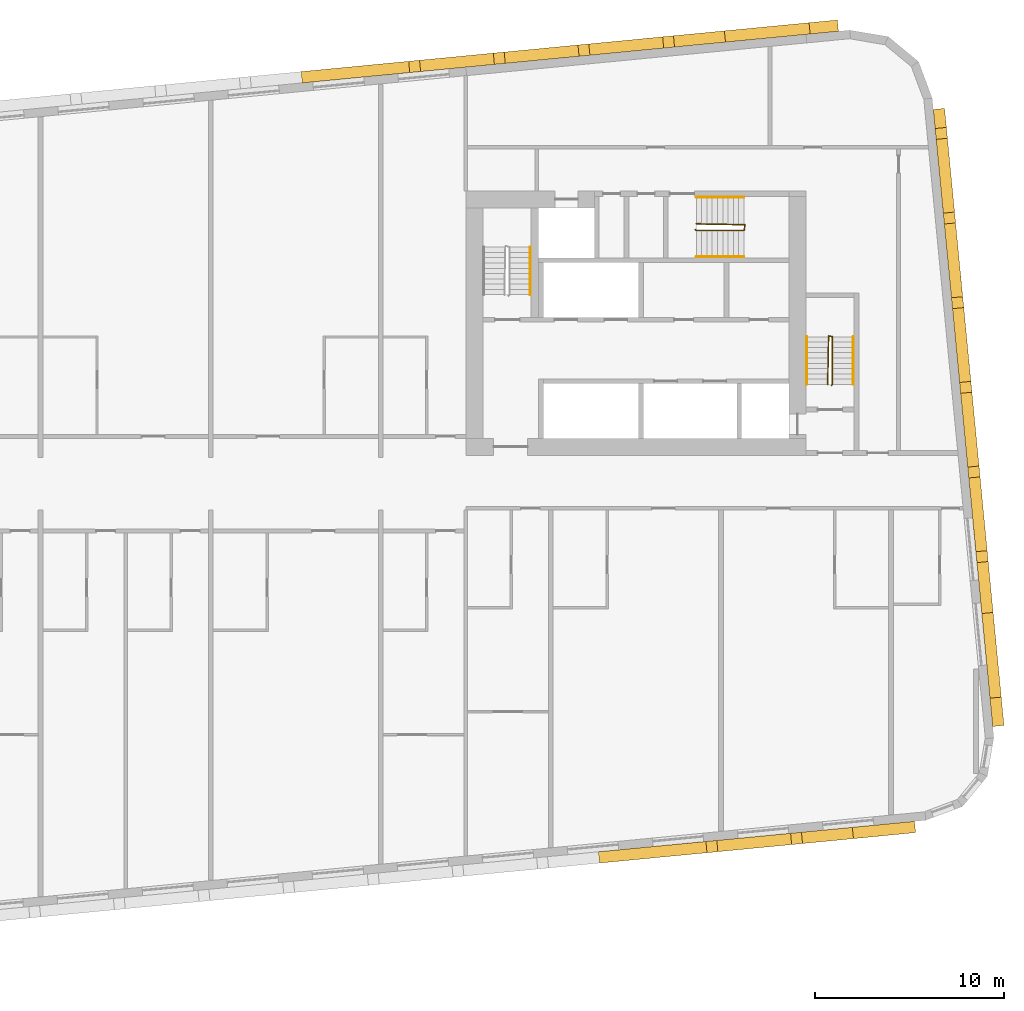
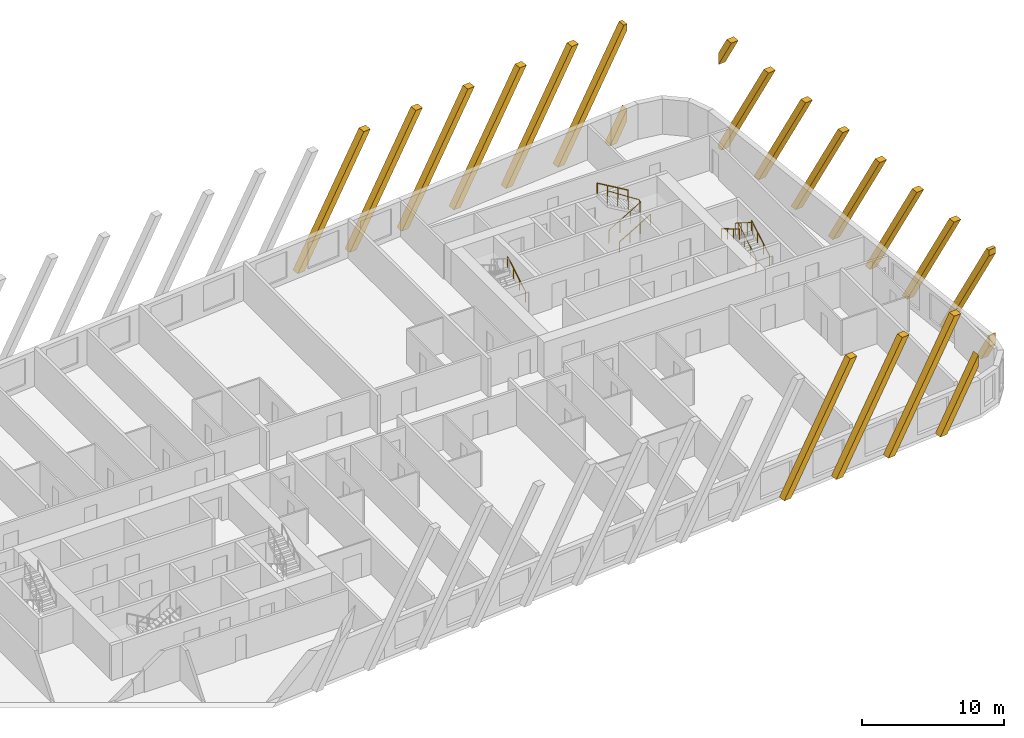
# One storey, part 13 of 13: 20 coverings, 7 railings.
"""IFC4 building model written with IfcOpenShell, lengths in metres."""

from ifc_helpers import new_model, si_unit, direction, frame, origin, origin_2d, place, context, subcontext, project, spatial, polyline, rectangle, circle, outline, extrude, material, material_profile, profile_set, type_object, element, save


model = new_model("IFC4")

# Units and contexts
model_context = context("Model", 3, precision=1e-05, world=origin(), true_north=direction((0.0, 1.0)))
body_context = subcontext(model_context, "Body", "Model", "MODEL_VIEW")
ifc_project = project(units=[si_unit("LENGTHUNIT", "METRE"), si_unit("AREAUNIT", "SQUARE_METRE"), si_unit("VOLUMEUNIT", "CUBIC_METRE"), si_unit("PLANEANGLEUNIT", "RADIAN"), si_unit("MASSUNIT", "GRAM", prefix="KILO")], contexts=[model_context])

# Site, building, storey
site_placement = place(None, origin())
site = spatial("IfcSite", under=ifc_project, at=site_placement, CompositionType="ELEMENT")
building_placement = place(site_placement, origin())
building = spatial("IfcBuilding", under=site, at=building_placement, Name="Kajstack Hotel Tower", CompositionType="ELEMENT")
storey_placement = place(building_placement, frame((0.0, 0.0, 176.800048828125)))
storey = spatial("IfcBuildingStorey", under=building, at=storey_placement, Name="L41", CompositionType="ELEMENT", Elevation=176.800048828125)

# Coverings
ifc_material_1 = material(Name="Terracotta", Category="masonry")
ifc_material_profile = material_profile(ifc_material_1, rectangle(XDim=0.60009765625, YDim=0.5, at=origin_2d()), Name="Terracotta-clad concrete baguette 500 x 600")
ifc_profile_set = profile_set([ifc_material_profile], Name="Terracotta")
covering_type = type_object("IfcCoveringType", Name="BAGUETTE 500x600", PredefinedType="CLADDING", material=ifc_profile_set)
for number, where, z_axis, x_axis, name in (
    (1, (20.515869140625, -19.477294921875, 0.0), (0.095634862357, -0.995416482233, 0.0), (0.995416482233, 0.095634862357, 0.0), "Baguette L41-04-053"),
    (2, (24.9951171875, -19.0458984375, 0.0), (0.095634862357, -0.995416482233, 0.0), (0.995416482233, 0.095634862357, 0.0), "Baguette L41-04-057"),
    (3, (29.474365234375, -18.61474609375, 0.0), (0.095634862357, -0.995416482233, 0.0), (0.995416482233, 0.095634862357, 0.0), "Baguette L41-04-061"),
):
    element("IfcCovering", number, at=place(storey_placement, frame(where, z_axis=z_axis, x_axis=x_axis)), inside=storey, type_object=covering_type, Name=name, PredefinedType="CLADDING", context=body_context, shape_type="SweptSolid", body=[
        extrude(outline(polyline([(5.7158203125, 9.89990234375), (0.0, 0.0), (0.577392578125, 0.0), (6.293212890625, 9.89990234375), (5.7158203125, 9.89990234375)])), origin(), (0.0, 0.0, 1.0), 0.599853515625),
    ])
covering_1_placement = place(storey_placement, frame((33.95361328125, -18.183349609375, 0.0), z_axis=(0.096038073607, -0.995377661201, 0.0), x_axis=(0.995377661201, 0.096038073607, 0.0)))
element("IfcCovering", 4, at=covering_1_placement, inside=storey, type_object=covering_type, Name="Baguette L41-04-065", PredefinedType="CLADDING", context=body_context, shape_type="SweptSolid", body=[
    extrude(outline(polyline([(0.577392578125, 0.0), (3.304443359375, 4.723388671875), (3.304443359375, 5.723388671875), (0.0, 0.0), (0.577392578125, 0.0)])), origin(), (0.0, 0.0, 1.0), 0.599853515625),
])
covering_2_placement = place(storey_placement, frame((41.380859375, -12.846923828125, 0.0), z_axis=(0.995377661201, 0.096038073607, 0.0), x_axis=(-0.096038073607, 0.995377661201, 0.0)))
element("IfcCovering", 5, at=covering_2_placement, inside=storey, type_object=covering_type, Name="Baguette L41-08-001", PredefinedType="CLADDING", context=body_context, shape_type="SweptSolid", body=[
    extrude(outline(polyline([(1.50439453125, 0.0), (0.0, 2.605712890625), (0.0, 1.605712890625), (0.927001953125, 0.0), (1.50439453125, 0.0)])), origin(), (0.0, 0.0, 1.0), 0.599853515625),
])
covering_3_placement = place(storey_placement, frame((41.380859375, -12.846923828125, 0.0), z_axis=(0.995377661201, 0.096038073607, 0.0), x_axis=(-0.096038073607, 0.995377661201, 0.0)))
element("IfcCovering", 6, at=covering_3_placement, inside=storey, type_object=covering_type, Name="Baguette L41-08-005", PredefinedType="CLADDING", context=body_context, shape_type="SweptSolid", body=[
    extrude(outline(polyline([(0.28857421875, 9.89990234375), (0.0, 9.89990234375), (0.0, 9.39990234375), (5.427001953125, 0.0), (6.00439453125, 0.0), (0.28857421875, 9.89990234375)])), origin(), (0.0, 0.0, 1.0), 0.599853515625),
])
covering_4_placement = place(storey_placement, frame((40.97705078125, -8.655029296875, 0.0), z_axis=(0.995381412265, 0.095999188106, 0.0), x_axis=(-0.095999188106, 0.995381412265, 0.0)))
element("IfcCovering", 7, at=covering_4_placement, inside=storey, type_object=covering_type, Name="Baguette L41-08-009", PredefinedType="CLADDING", context=body_context, shape_type="SweptSolid", body=[
    extrude(outline(polyline([(0.0, 9.89990234375), (5.7158203125, 0.0), (6.293212890625, 0.0), (0.577392578125, 9.89990234375), (0.0, 9.89990234375)])), origin(), (0.0, 0.0, 1.0), 0.60009765625),
])
covering_5_placement = place(storey_placement, frame((40.5458984375, -4.175537109375, 0.0), z_axis=(0.995416482233, 0.095634862357, 0.0), x_axis=(-0.095634862357, 0.995416482233, 0.0)))
element("IfcCovering", 8, at=covering_5_placement, inside=storey, type_object=covering_type, Name="Baguette L41-08-013", PredefinedType="CLADDING", context=body_context, shape_type="SweptSolid", body=[
    extrude(outline(polyline([(0.0, 9.89990234375), (5.7158203125, 0.0), (6.293212890625, 0.0), (0.577392578125, 9.89990234375), (0.0, 9.89990234375)])), origin(), (0.0, 0.0, 1.0), 0.599853515625),
])
covering_6_placement = place(storey_placement, frame((40.114501953125, 0.3037109375, 0.0), z_axis=(0.995420202011, 0.095596137095, 0.0), x_axis=(-0.095596137095, 0.995420202011, 0.0)))
element("IfcCovering", 9, at=covering_6_placement, inside=storey, type_object=covering_type, Name="Baguette L41-08-017", PredefinedType="CLADDING", context=body_context, shape_type="SweptSolid", body=[
    extrude(outline(polyline([(0.0, 9.89990234375), (5.7158203125, 0.0), (6.293212890625, 0.0), (0.577392578125, 9.89990234375), (0.0, 9.89990234375)])), origin(), (0.0, 0.0, 1.0), 0.60009765625),
])
for number, where, z_axis, x_axis, name in (
    (10, (39.683349609375, 4.782958984375, 0.0), (0.995416482233, 0.095634862357, 0.0), (-0.095634862357, 0.995416482233, 0.0), "Baguette L41-08-021"),
    (11, (39.251953125, 9.26220703125, 0.0), (0.995377661201, 0.096038073607, 0.0), (-0.096038073607, 0.995377661201, 0.0), "Baguette L41-08-025"),
):
    element("IfcCovering", number, at=place(storey_placement, frame(where, z_axis=z_axis, x_axis=x_axis)), inside=storey, type_object=covering_type, Name=name, PredefinedType="CLADDING", context=body_context, shape_type="SweptSolid", body=[
        extrude(outline(polyline([(0.0, 9.89990234375), (5.7158203125, 0.0), (6.293212890625, 0.0), (0.577392578125, 9.89990234375), (0.0, 9.89990234375)])), origin(), (0.0, 0.0, 1.0), 0.599853515625),
    ])
covering_7_placement = place(storey_placement, frame((38.820556640625, 13.741455078125, 0.0), z_axis=(0.995381412265, 0.095999188106, 0.0), x_axis=(-0.095999188106, 0.995381412265, 0.0)))
element("IfcCovering", 12, at=covering_7_placement, inside=storey, type_object=covering_type, Name="Baguette L41-08-029", PredefinedType="CLADDING", context=body_context, shape_type="SweptSolid", body=[
    extrude(outline(polyline([(5.7158203125, 0.0), (6.088623046875, 0.0), (6.088623046875, 0.354248046875), (0.577392578125, 9.89990234375), (0.0, 9.89990234375), (5.7158203125, 0.0)])), origin(), (0.0, 0.0, 1.0), 0.60009765625),
])
covering_8_placement = place(storey_placement, frame((38.389404296875, 18.220703125, 0.0), z_axis=(0.995377661201, 0.096038073607, 0.0), x_axis=(-0.096038073607, 0.995377661201, 0.0)))
element("IfcCovering", 13, at=covering_8_placement, inside=storey, type_object=covering_type, Name="Baguette L41-08-033", PredefinedType="CLADDING", context=body_context, shape_type="SweptSolid", body=[
    extrude(outline(polyline([(0.0, 9.89990234375), (1.588623046875, 7.1484375), (1.588623046875, 8.1484375), (0.577392578125, 9.89990234375), (0.0, 9.89990234375)])), origin(), (0.0, 0.0, 1.0), 0.599853515625),
])
covering_9_placement = place(storey_placement, frame((33.21728515625, 23.93994140625, 0.0), z_axis=(-0.095634862357, 0.995416482233, 0.0), x_axis=(-0.995416482233, -0.095634862357, 0.0)))
element("IfcCovering", 14, at=covering_9_placement, inside=storey, type_object=covering_type, Name="Baguette L41-12-001", PredefinedType="CLADDING", context=body_context, shape_type="SweptSolid", body=[
    extrude(outline(polyline([(1.50439453125, 0.0), (0.0, 2.605712890625), (0.0, 1.605712890625), (0.927001953125, 0.0), (1.50439453125, 0.0)])), origin(), (0.0, 0.0, 1.0), 0.599853515625),
])
covering_10_placement = place(storey_placement, frame((33.21728515625, 23.93994140625, 0.0), z_axis=(-0.095634862357, 0.995416482233, 0.0), x_axis=(-0.995416482233, -0.095634862357, 0.0)))
element("IfcCovering", 15, at=covering_10_placement, inside=storey, type_object=covering_type, Name="Baguette L41-12-005", PredefinedType="CLADDING", context=body_context, shape_type="SweptSolid", body=[
    extrude(outline(polyline([(0.28857421875, 9.89990234375), (0.0, 9.89990234375), (0.0, 9.39990234375), (5.427001953125, 0.0), (6.00439453125, 0.0), (0.28857421875, 9.89990234375)])), origin(), (0.0, 0.0, 1.0), 0.599853515625),
])
covering_11_placement = place(storey_placement, frame((29.025390625, 23.536376953125, 0.0), z_axis=(-0.095634862357, 0.995416482233, 0.0), x_axis=(-0.995416482233, -0.095634862357, 0.0)))
element("IfcCovering", 16, at=covering_11_placement, inside=storey, type_object=covering_type, Name="Baguette L41-12-009", PredefinedType="CLADDING", context=body_context, shape_type="SweptSolid", body=[
    extrude(outline(polyline([(0.0, 9.89990234375), (5.7158203125, 0.0), (6.293212890625, 0.0), (0.577392578125, 9.89990234375), (0.0, 9.89990234375)])), origin(), (0.0, 0.0, 1.0), 0.599853515625),
])
covering_12_placement = place(storey_placement, frame((24.546142578125, 23.10498046875, 0.0), z_axis=(-0.095999188106, 0.995381412265, 0.0), x_axis=(-0.995381412265, -0.095999188106, 0.0)))
element("IfcCovering", 17, at=covering_12_placement, inside=storey, type_object=covering_type, Name="Baguette L41-12-013", PredefinedType="CLADDING", context=body_context, shape_type="SweptSolid", body=[
    extrude(outline(polyline([(0.0, 9.89990234375), (5.7158203125, 0.0), (6.293212890625, 0.0), (0.577392578125, 9.89990234375), (0.0, 9.89990234375)])), origin(), (0.0, 0.0, 1.0), 0.60009765625),
])
for number, where, z_axis, x_axis, name in (
    (18, (20.06689453125, 22.673828125, 0.0), (-0.096038073607, 0.995377661201, 0.0), (-0.995377661201, -0.096038073607, 0.0), "Baguette L41-12-017"),
    (19, (15.587646484375, 22.242431640625, 0.0), (-0.096038073607, 0.995377661201, 0.0), (-0.995377661201, -0.096038073607, 0.0), "Baguette L41-12-021"),
):
    element("IfcCovering", number, at=place(storey_placement, frame(where, z_axis=z_axis, x_axis=x_axis)), inside=storey, type_object=covering_type, Name=name, PredefinedType="CLADDING", context=body_context, shape_type="SweptSolid", body=[
        extrude(outline(polyline([(0.0, 9.89990234375), (5.7158203125, 0.0), (6.293212890625, 0.0), (0.577392578125, 9.89990234375), (0.0, 9.89990234375)])), origin(), (0.0, 0.0, 1.0), 0.599853515625),
    ])
covering_13_placement = place(storey_placement, frame((11.1083984375, 21.81103515625, 0.0), z_axis=(-0.095999188106, 0.995381412265, 0.0), x_axis=(-0.995381412265, -0.095999188106, 0.0)))
element("IfcCovering", 20, at=covering_13_placement, inside=storey, type_object=covering_type, Name="Baguette L41-12-025", PredefinedType="CLADDING", context=body_context, shape_type="SweptSolid", body=[
    extrude(outline(polyline([(0.0, 9.89990234375), (5.7158203125, 0.0), (6.293212890625, 0.0), (0.577392578125, 9.89990234375), (0.0, 9.89990234375)])), origin(), (0.0, 0.0, 1.0), 0.60009765625),
])

# Railings
ifc_material_2 = material(Name="Steel S355J2", Category="steel")
railing_type_1 = type_object("IfcRailingType", Name="Stair guard 1100", PredefinedType="GUARDRAIL", material=ifc_material_2)
railing_1_placement = place(storey_placement, frame((32.85009765625, 5.199951171875, 0.0)))
element("IfcRailing", 21, at=railing_1_placement, inside=storey, type_object=railing_type_1, Name="L41 E1 stair guard 1", PredefinedType="GUARDRAIL", context=body_context, shape_type="SweptSolid", body=[
    extrude(circle(Radius=0.02392578125, at=origin_2d()), frame((0.0, 0.0, 1.076171875), z_axis=(0.277450376394, 0.278810427259, 0.919394384522), x_axis=(-0.708833529934, 0.705375805398, 0.0)), (0.0, 0.0, 1.0), 0.179443359375),
    extrude(circle(Radius=0.02392578125, at=origin_2d()), frame((0.0498046875, 0.050048828125, 1.2412109375), z_axis=(0.0, 0.861560626758, 0.507654692109), x_axis=(-1.0, 0.0, 0.0)), (0.0, 0.0, 1.0), 2.925048828125),
    extrude(circle(Radius=0.02392578125, at=origin_2d()), frame((0.0498046875, 2.570068359375, 2.72607421875), z_axis=(-0.970072785993, 0.242814311512, 0.0), x_axis=(-0.242814311512, -0.970072785993, 0.0)), (0.0, 0.0, 1.0), 0.2060546875),
    extrude(circle(Radius=0.02392578125, at=origin_2d()), frame((-0.150146484375, 2.6201171875, 2.72607421875), z_axis=(-0.016384601254, -0.84136925563, 0.540212292087), x_axis=(0.999810440751, -0.019470042781, 0.0)), (0.0, 0.0, 1.0), 3.0546875),
    extrude(circle(Radius=0.02099609375, at=origin_2d()), origin(), (0.0, 0.0, 1.0), 1.052001953125),
    extrude(circle(Radius=0.02099609375, at=origin_2d()), frame((0.0498046875, 0.050048828125, 0.1650390625)), (0.0, 0.0, 1.0), 1.052001953125),
    extrude(circle(Radius=0.02099609375, at=origin_2d()), frame((0.0498046875, 0.89013671875, 0.659912109375)), (0.0, 0.0, 1.0), 1.052001953125),
    extrude(circle(Radius=0.02099609375, at=origin_2d()), frame((0.0498046875, 1.72998046875, 1.155029296875)), (0.0, 0.0, 1.0), 1.052001953125),
    extrude(circle(Radius=0.02099609375, at=origin_2d()), frame((0.0498046875, 2.570068359375, 1.64990234375)), (0.0, 0.0, 1.0), 1.052001953125),
    extrude(circle(Radius=0.02099609375, at=origin_2d()), frame((-0.150146484375, 2.6201171875, 1.64990234375)), (0.0, 0.0, 1.0), 1.052001953125),
    extrude(circle(Radius=0.02099609375, at=origin_2d()), frame((-0.166748046875, 1.763427734375, 2.199951171875)), (0.0, 0.0, 1.0), 1.052001953125),
    extrude(circle(Radius=0.02099609375, at=origin_2d()), frame((-0.18359375, 0.90673828125, 2.75)), (0.0, 0.0, 1.0), 1.052001953125),
    extrude(circle(Radius=0.02099609375, at=origin_2d()), frame((-0.2001953125, 0.050048828125, 3.300048828125)), (0.0, 0.0, 1.0), 1.052001953125),
])
railing_2_placement = place(storey_placement, frame((25.64990234375, 13.449951171875, 0.0)))
element("IfcRailing", 22, at=railing_2_placement, inside=storey, type_object=railing_type_1, Name="L41 E3 stair guard 1", PredefinedType="GUARDRAIL", context=body_context, shape_type="SweptSolid", body=[
    extrude(circle(Radius=0.02392578125, at=origin_2d()), frame((0.0, 0.0, 1.076171875), z_axis=(0.278705021027, -0.278705021027, 0.919046801044), x_axis=(0.707106781187, 0.707106781187, 0.0)), (0.0, 0.0, 1.0), 0.1796875),
    extrude(circle(Radius=0.02392578125, at=origin_2d()), frame((0.050048828125, -0.050048828125, 1.2412109375), z_axis=(0.861560626758, 0.0, 0.507654692109), x_axis=(0.0, 1.0, 0.0)), (0.0, 0.0, 1.0), 2.925048828125),
    extrude(circle(Radius=0.02392578125, at=origin_2d()), frame((2.570068359375, -0.050048828125, 2.72607421875), z_axis=(0.164529134168, 0.986372223864, 0.0), x_axis=(-0.986372223864, 0.164529134168, 0.0)), (0.0, 0.0, 1.0), 0.30419921875),
    extrude(circle(Radius=0.02392578125, at=origin_2d()), frame((2.6201171875, 0.25, 2.72607421875), z_axis=(-0.84136925563, 0.016384601254, 0.540212292087), x_axis=(-0.019470042781, -0.999810440751, 0.0)), (0.0, 0.0, 1.0), 3.0546875),
    extrude(circle(Radius=0.02099609375, at=origin_2d()), origin(), (0.0, 0.0, 1.0), 1.052001953125),
    extrude(circle(Radius=0.02099609375, at=origin_2d()), frame((0.050048828125, -0.050048828125, 0.1650390625)), (0.0, 0.0, 1.0), 1.052001953125),
    extrude(circle(Radius=0.02099609375, at=origin_2d()), frame((0.89013671875, -0.050048828125, 0.659912109375)), (0.0, 0.0, 1.0), 1.052001953125),
    extrude(circle(Radius=0.02099609375, at=origin_2d()), frame((1.72998046875, -0.050048828125, 1.155029296875)), (0.0, 0.0, 1.0), 1.052001953125),
    extrude(circle(Radius=0.02099609375, at=origin_2d()), frame((2.570068359375, -0.050048828125, 1.64990234375)), (0.0, 0.0, 1.0), 1.052001953125),
    extrude(circle(Radius=0.02099609375, at=origin_2d()), frame((2.6201171875, 0.25, 1.64990234375)), (0.0, 0.0, 1.0), 1.052001953125),
    extrude(circle(Radius=0.02099609375, at=origin_2d()), frame((1.763427734375, 0.2666015625, 2.199951171875)), (0.0, 0.0, 1.0), 1.052001953125),
    extrude(circle(Radius=0.02099609375, at=origin_2d()), frame((0.90673828125, 0.283447265625, 2.75)), (0.0, 0.0, 1.0), 1.052001953125),
    extrude(circle(Radius=0.02099609375, at=origin_2d()), frame((0.050048828125, 0.300048828125, 3.300048828125)), (0.0, 0.0, 1.0), 1.052001953125),
])
railing_type_2 = type_object("IfcRailingType", Name="Stair handrail 900", PredefinedType="HANDRAIL", material=ifc_material_2)
railing_3_placement = place(storey_placement, frame((34.0, 5.25, 0.1650390625)))
element("IfcRailing", 23, at=railing_3_placement, inside=storey, type_object=railing_type_2, Name="L41 E1 stair handrail 1", PredefinedType="HANDRAIL", context=body_context, shape_type="SweptSolid", body=[
    extrude(circle(Radius=0.02392578125, at=origin_2d()), frame((0.0, 0.0, 0.8759765625), z_axis=(0.0, 0.861560626758, 0.507654692109), x_axis=(-1.0, 0.0, 0.0)), (0.0, 0.0, 1.0), 2.925048828125),
    extrude(circle(Radius=0.02099609375, at=origin_2d()), origin(), (0.0, 0.0, 1.0), 0.851806640625),
    extrude(circle(Radius=0.02099609375, at=origin_2d()), frame((0.0, 0.840087890625, 0.494873046875)), (0.0, 0.0, 1.0), 0.851806640625),
    extrude(circle(Radius=0.02099609375, at=origin_2d()), frame((0.0, 1.679931640625, 0.989990234375)), (0.0, 0.0, 1.0), 0.851806640625),
    extrude(circle(Radius=0.02099609375, at=origin_2d()), frame((0.0, 2.52001953125, 1.48486328125)), (0.0, 0.0, 1.0), 0.851806640625),
])
railing_4_placement = place(storey_placement, frame((31.550048828125, 7.77001953125, 1.81494140625)))
element("IfcRailing", 24, at=railing_4_placement, inside=storey, type_object=railing_type_2, Name="L41 E1 stair handrail 2", PredefinedType="HANDRAIL", context=body_context, shape_type="SweptSolid", body=[
    extrude(circle(Radius=0.02392578125, at=origin_2d()), frame((0.0, 0.0, 0.8759765625), z_axis=(0.0, -0.86152411907, 0.507716645641), x_axis=(1.0, 0.0, 0.0)), (0.0, 0.0, 1.0), 2.925048828125),
    extrude(circle(Radius=0.02099609375, at=origin_2d()), origin(), (0.0, 0.0, 1.0), 0.851806640625),
    extrude(circle(Radius=0.02099609375, at=origin_2d()), frame((0.0, -0.840087890625, 0.4951171875)), (0.0, 0.0, 1.0), 0.851806640625),
    extrude(circle(Radius=0.02099609375, at=origin_2d()), frame((0.0, -1.679931640625, 0.989990234375)), (0.0, 0.0, 1.0), 0.851806640625),
    extrude(circle(Radius=0.02099609375, at=origin_2d()), frame((0.0, -2.52001953125, 1.485107421875)), (0.0, 0.0, 1.0), 0.851806640625),
])
railing_5_placement = place(storey_placement, frame((16.89990234375, 10.0, 0.1650390625)))
element("IfcRailing", 25, at=railing_5_placement, inside=storey, type_object=railing_type_2, Name="L41 E2 stair handrail 1", PredefinedType="HANDRAIL", context=body_context, shape_type="SweptSolid", body=[
    extrude(circle(Radius=0.02392578125, at=origin_2d()), frame((0.0, 0.0, 0.8759765625), z_axis=(0.0, 0.861560626758, 0.507654692109), x_axis=(-1.0, 0.0, 0.0)), (0.0, 0.0, 1.0), 2.925048828125),
    extrude(circle(Radius=0.02099609375, at=origin_2d()), origin(), (0.0, 0.0, 1.0), 0.851806640625),
    extrude(circle(Radius=0.02099609375, at=origin_2d()), frame((0.0, 0.840087890625, 0.494873046875)), (0.0, 0.0, 1.0), 0.851806640625),
    extrude(circle(Radius=0.02099609375, at=origin_2d()), frame((0.0, 1.679931640625, 0.989990234375)), (0.0, 0.0, 1.0), 0.851806640625),
    extrude(circle(Radius=0.02099609375, at=origin_2d()), frame((0.0, 2.52001953125, 1.48486328125)), (0.0, 0.0, 1.0), 0.851806640625),
])
railing_6_placement = place(storey_placement, frame((25.699951171875, 12.0, 0.1650390625)))
element("IfcRailing", 26, at=railing_6_placement, inside=storey, type_object=railing_type_2, Name="L41 E3 stair handrail 1", PredefinedType="HANDRAIL", context=body_context, shape_type="SweptSolid", body=[
    extrude(circle(Radius=0.02392578125, at=origin_2d()), frame((0.0, 0.0, 0.8759765625), z_axis=(0.861560626758, 0.0, 0.507654692109), x_axis=(0.0, 1.0, 0.0)), (0.0, 0.0, 1.0), 2.925048828125),
    extrude(circle(Radius=0.02099609375, at=origin_2d()), origin(), (0.0, 0.0, 1.0), 0.851806640625),
    extrude(circle(Radius=0.02099609375, at=origin_2d()), frame((0.840087890625, 0.0, 0.494873046875)), (0.0, 0.0, 1.0), 0.851806640625),
    extrude(circle(Radius=0.02099609375, at=origin_2d()), frame((1.679931640625, 0.0, 0.989990234375)), (0.0, 0.0, 1.0), 0.851806640625),
    extrude(circle(Radius=0.02099609375, at=origin_2d()), frame((2.52001953125, 0.0, 1.48486328125)), (0.0, 0.0, 1.0), 0.851806640625),
])
railing_7_placement = place(storey_placement, frame((28.219970703125, 15.14990234375, 1.81494140625)))
element("IfcRailing", 27, at=railing_7_placement, inside=storey, type_object=railing_type_2, Name="L41 E3 stair handrail 2", PredefinedType="HANDRAIL", context=body_context, shape_type="SweptSolid", body=[
    extrude(circle(Radius=0.02392578125, at=origin_2d()), frame((0.0, 0.0, 0.8759765625), z_axis=(-0.86152411907, 0.0, 0.507716645641), x_axis=(0.0, -1.0, 0.0)), (0.0, 0.0, 1.0), 2.925048828125),
    extrude(circle(Radius=0.02099609375, at=origin_2d()), origin(), (0.0, 0.0, 1.0), 0.851806640625),
    extrude(circle(Radius=0.02099609375, at=origin_2d()), frame((-0.840087890625, 0.0, 0.4951171875)), (0.0, 0.0, 1.0), 0.851806640625),
    extrude(circle(Radius=0.02099609375, at=origin_2d()), frame((-1.679931640625, 0.0, 0.989990234375)), (0.0, 0.0, 1.0), 0.851806640625),
    extrude(circle(Radius=0.02099609375, at=origin_2d()), frame((-2.52001953125, 0.0, 1.485107421875)), (0.0, 0.0, 1.0), 0.851806640625),
])

save(model, "model.ifc")
